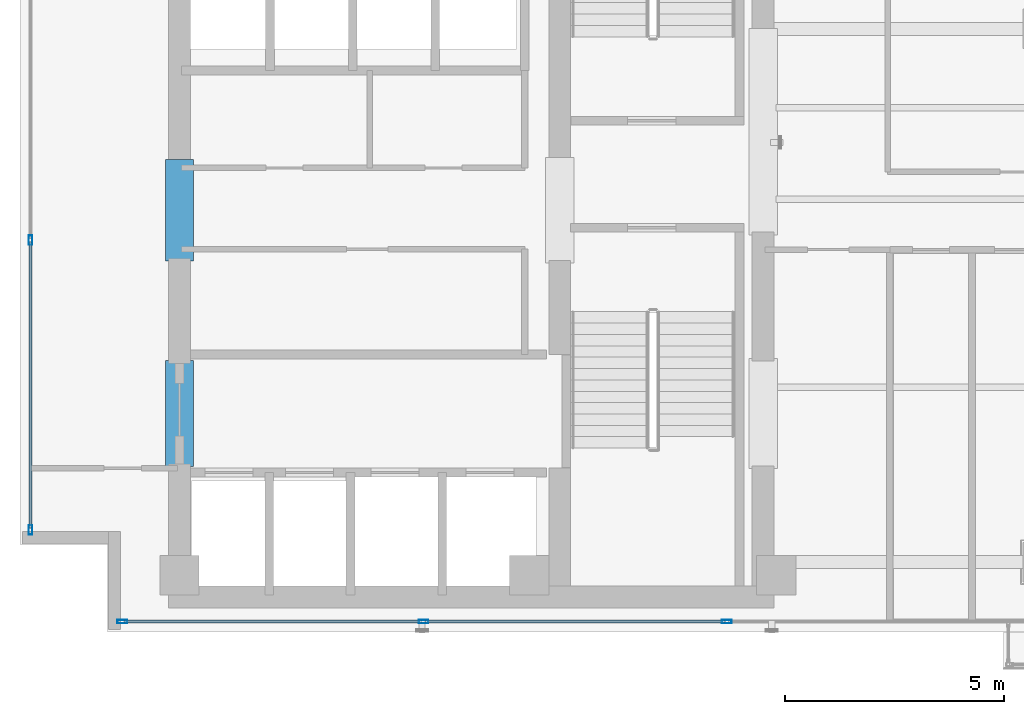
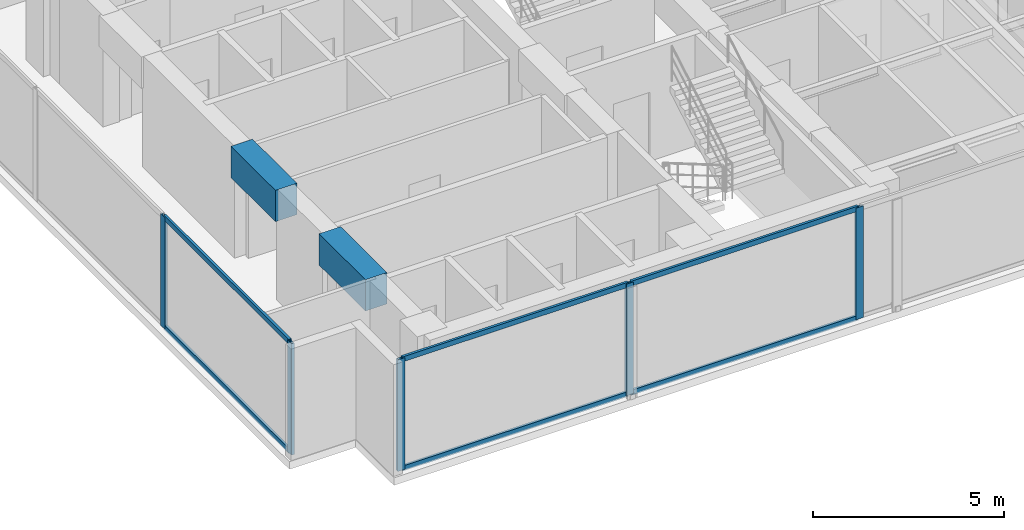
# One storey, part 2 of 22: 11 members, 2 beams, 2 elements without a shape of their own.
"""IFC4 building model written with IfcOpenShell, lengths in metres."""

from ifc_helpers import new_model, si_unit, direction, frame, origin, origin_with_axes, origin_2d, place, context, subcontext, project, spatial, rectangle, hollow_rectangle, extrude, source, transform, mapped, material, layer, layer_set, material_profile, profile_set, type_object, element, aggregate, save


model = new_model("IFC4")

# Units and contexts
model_context = context("Model", 3, precision=1e-05, world=origin(), true_north=direction((0.0, 1.0)))
body_context = subcontext(model_context, "Body", "Model", "MODEL_VIEW")
ifc_project = project(units=[si_unit("LENGTHUNIT", "METRE"), si_unit("AREAUNIT", "SQUARE_METRE"), si_unit("VOLUMEUNIT", "CUBIC_METRE"), si_unit("PLANEANGLEUNIT", "RADIAN"), si_unit("MASSUNIT", "GRAM", prefix="KILO")], contexts=[model_context])

# Site, building, storey
site_placement = place(None, origin())
site = spatial("IfcSite", under=ifc_project, at=site_placement, CompositionType="ELEMENT")
building_placement = place(site_placement, origin())
building = spatial("IfcBuilding", under=site, at=building_placement, Name="Kolvaren Waterfront Exchange", CompositionType="ELEMENT")
storey_placement = place(building_placement, frame((0.0, 0.0, 323.60009765625)))
storey = spatial("IfcBuildingStorey", under=building, at=storey_placement, Name="L83", CompositionType="ELEMENT", Elevation=323.60009765625)

# Beams
ifc_material_1 = material(Name="Concrete C60/75", Category="concrete")
ifc_material_profile_1 = material_profile(ifc_material_1, rectangle(XDim=0.64990234375, YDim=1.0, at=origin_2d()), Name="RC-CB-1000x650")
ifc_profile_set_1 = profile_set([ifc_material_profile_1], Name="Concrete C60/75")
beam_type = type_object("IfcBeamType", Name="STR-CB-1000", PredefinedType="SPANDREL", material=ifc_profile_set_1)
beam_1_placement = place(storey_placement, frame((7.449951171875, 7.389892578125, 3.059814453125), z_axis=(0.0, 1.0, 0.0), x_axis=(-1.0, 0.0, 0.0)))
element("IfcBeam", 1, at=beam_1_placement, inside=storey, type_object=beam_type, Name="L83 core coupling beam 3", PredefinedType="SPANDREL", context=body_context, shape_type="SweptSolid", body=[
    extrude(rectangle(XDim=0.64990234375, YDim=1.0, at=origin_2d()), origin(), (0.0, 0.0, 1.0), 2.420166015625),
])
beam_2_placement = place(storey_placement, frame((7.449951171875, 12.090087890625, 3.059814453125), z_axis=(0.0, 1.0, 0.0), x_axis=(-1.0, 0.0, 0.0)))
element("IfcBeam", 2, at=beam_2_placement, inside=storey, type_object=beam_type, Name="L83 core coupling beam 4", PredefinedType="SPANDREL", context=body_context, shape_type="SweptSolid", body=[
    extrude(rectangle(XDim=0.64990234375, YDim=1.0, at=origin_2d()), origin(), (0.0, 0.0, 1.0), 2.31982421875),
])

# Curtain wall, members
ifc_material_2 = material(Name="Anodised bronze aluminium 6063-T6", Category="aluminium")
ifc_layer_1 = layer(ifc_material_2, 0.219970703125, Name="Anodised bronze aluminium 6063-T6")
ifc_layer_set_1 = layer_set([ifc_layer_1], Name="Anodised bronze aluminium 6063-T6")
curtain_wall_type_1 = type_object("IfcCurtainWallType", Name="ARC-CW-SYS1", PredefinedType="USERDEFINED", material=ifc_layer_set_1)
curtain_wall_1_placement = place(storey_placement, origin())
curtain_wall_1 = element("IfcCurtainWall", 3, at=curtain_wall_1_placement, inside=storey, type_object=curtain_wall_type_1, Name="L83 stick curtain wall CW1 (CW-L83-S)", ObjectType="STICK CURTAIN WALL", PredefinedType="USERDEFINED")
ifc_material_3 = material(Name="Anodised aluminium 6063-T6", Category="aluminium")
ifc_material_profile_2 = material_profile(ifc_material_3, hollow_rectangle(XDim=0.080078125, YDim=0.219970703125, WallThickness=0.0048828125, at=origin_2d()), Name="ALU-MUL-220x80x5")
ifc_profile_set_2 = profile_set([ifc_material_profile_2], Name="Anodised aluminium 6063-T6")
member_type_1 = type_object("IfcMemberType", Name="ARC-CWM-220", PredefinedType="MULLION", material=ifc_profile_set_2)
shared_shape_1 = source(origin_with_axes(), body_context, "Body", "SweptSolid", [
    extrude(hollow_rectangle(XDim=0.080078125, YDim=0.219970703125, WallThickness=0.0048828125, at=origin_2d()), origin(), (0.0, 0.0, 1.0), 3.559814453125),
])
member_1_placement = place(storey_placement, frame((6.139892578125, 3.840087890625, 0.0), z_axis=(0.0, 0.0, 1.0), x_axis=(0.0, 1.0, 0.0)))
member_1 = element("IfcMember", 4, at=member_1_placement, type_object=member_type_1, Name="CW1 mullion 1", PredefinedType="MULLION", context=body_context, shape_type="MappedRepresentation", body=[
    mapped(shared_shape_1, transform((0.0, 0.0, 0.0), x_axis=(1.0, 0.0, 0.0), y_axis=(0.0, 1.0, 0.0), z_axis=(0.0, 0.0, 1.0), scale=1.0)),
])
member_2_placement = place(storey_placement, frame((13.03515625, 3.840087890625, 0.0), z_axis=(0.0, 0.0, 1.0), x_axis=(0.0, 1.0, 0.0)))
member_2 = element("IfcMember", 5, at=member_2_placement, type_object=member_type_1, Name="CW1 mullion 2", PredefinedType="MULLION", context=body_context, shape_type="MappedRepresentation", body=[
    mapped(shared_shape_1, transform((0.0, 0.0, 0.0), x_axis=(1.0, 0.0, 0.0), y_axis=(0.0, 1.0, 0.0), z_axis=(0.0, 0.0, 1.0), scale=1.0)),
])
member_3_placement = place(storey_placement, frame((19.97021484375, 3.840087890625, 0.0), z_axis=(0.0, 0.0, 1.0), x_axis=(0.0, 1.0, 0.0)))
member_3 = element("IfcMember", 6, at=member_3_placement, type_object=member_type_1, Name="CW1 mullion 3", PredefinedType="MULLION", context=body_context, shape_type="MappedRepresentation", body=[
    mapped(shared_shape_1, transform((0.0, 0.0, 0.0), x_axis=(1.0, 0.0, 0.0), y_axis=(0.0, 1.0, 0.0), z_axis=(0.0, 0.0, 1.0), scale=1.0)),
])

ifc_layer_2 = layer(ifc_material_3, 0.219970703125, Name="Anodised aluminium 6063-T6")
ifc_layer_set_2 = layer_set([ifc_layer_2], Name="Anodised aluminium 6063-T6")
curtain_wall_type_2 = type_object("IfcCurtainWallType", Name="ARC-CW-SYS2", PredefinedType="USERDEFINED", material=ifc_layer_set_2)
curtain_wall_2_placement = place(storey_placement, origin())
curtain_wall_2 = element("IfcCurtainWall", 7, at=curtain_wall_2_placement, inside=storey, type_object=curtain_wall_type_2, Name="L83 stick curtain wall CW2 (CW-L83-W)", ObjectType="STICK CURTAIN WALL", PredefinedType="USERDEFINED")
member_4_placement = place(storey_placement, frame((4.0400390625, 5.93994140625, 0.0), z_axis=(0.0, 0.0, 1.0), x_axis=(-1.0, 0.0, 0.0)))
member_4 = element("IfcMember", 8, at=member_4_placement, type_object=member_type_1, Name="CW2 mullion 1", PredefinedType="MULLION", context=body_context, shape_type="MappedRepresentation", body=[
    mapped(shared_shape_1, transform((0.0, 0.0, 0.0), x_axis=(1.0, 0.0, 0.0), y_axis=(0.0, 1.0, 0.0), z_axis=(0.0, 0.0, 1.0), scale=1.0)),
])
member_5_placement = place(storey_placement, frame((4.0400390625, 12.568359375, 0.0), z_axis=(0.0, 0.0, 1.0), x_axis=(-1.0, 0.0, 0.0)))
member_5 = element("IfcMember", 9, at=member_5_placement, type_object=member_type_1, Name="CW2 mullion 2", PredefinedType="MULLION", context=body_context, shape_type="MappedRepresentation", body=[
    mapped(shared_shape_1, transform((0.0, 0.0, 0.0), x_axis=(1.0, 0.0, 0.0), y_axis=(0.0, 1.0, 0.0), z_axis=(0.0, 0.0, 1.0), scale=1.0)),
])

# Member
ifc_material_profile_3 = material_profile(ifc_material_3, hollow_rectangle(XDim=0.074951171875, YDim=0.159912109375, WallThickness=0.00439453125, at=origin_2d()), Name="ALU-TRN-160x75x4.5")
ifc_profile_set_3 = profile_set([ifc_material_profile_3], Name="Anodised aluminium 6063-T6")
member_type_2 = type_object("IfcMemberType", Name="ARC-CWT-160", PredefinedType="USERDEFINED", material=ifc_profile_set_3)
shared_shape_2 = source(origin_with_axes(), body_context, "Body", "SweptSolid", [
    extrude(hollow_rectangle(XDim=0.074951171875, YDim=0.159912109375, WallThickness=0.00439453125, at=origin_2d()), origin(), (0.0, 0.0, 1.0), 6.815185546875),
])
member_6_placement = place(storey_placement, frame((6.179931640625, 3.840087890625, 0.037353515625), z_axis=(1.0, 0.0, 0.0), x_axis=(0.0, 1.0, 0.0)))
member_6 = element("IfcMember", 10, at=member_6_placement, type_object=member_type_2, Name="CW1 transom 1.1", ObjectType="TRANSOM", PredefinedType="USERDEFINED", context=body_context, shape_type="MappedRepresentation", body=[
    mapped(shared_shape_2, transform((0.0, 0.0, 0.0), x_axis=(1.0, 0.0, 0.0), y_axis=(0.0, 1.0, 0.0), z_axis=(0.0, 0.0, 1.0), scale=1.0)),
])

member_7_placement = place(storey_placement, frame((6.179931640625, 3.840087890625, 3.5224609375), z_axis=(1.0, 0.0, 0.0), x_axis=(0.0, 1.0, 0.0)))
member_7 = element("IfcMember", 11, at=member_7_placement, type_object=member_type_2, Name="CW1 transom 1.2", ObjectType="TRANSOM", PredefinedType="USERDEFINED", context=body_context, shape_type="MappedRepresentation", body=[
    mapped(shared_shape_2, transform((0.0, 0.0, 0.0), x_axis=(1.0, 0.0, 0.0), y_axis=(0.0, 1.0, 0.0), z_axis=(0.0, 0.0, 1.0), scale=1.0)),
])

shared_shape_3 = source(origin_with_axes(), body_context, "Body", "SweptSolid", [
    extrude(hollow_rectangle(XDim=0.074951171875, YDim=0.159912109375, WallThickness=0.00439453125, at=origin_2d()), origin(), (0.0, 0.0, 1.0), 6.85498046875),
])
member_8_placement = place(storey_placement, frame((13.0751953125, 3.840087890625, 0.037353515625), z_axis=(1.0, 0.0, 0.0), x_axis=(0.0, 1.0, 0.0)))
member_8 = element("IfcMember", 12, at=member_8_placement, type_object=member_type_2, Name="CW1 transom 2.1", ObjectType="TRANSOM", PredefinedType="USERDEFINED", context=body_context, shape_type="MappedRepresentation", body=[
    mapped(shared_shape_3, transform((0.0, 0.0, 0.0), x_axis=(1.0, 0.0, 0.0), y_axis=(0.0, 1.0, 0.0), z_axis=(0.0, 0.0, 1.0), scale=1.0)),
])

member_9_placement = place(storey_placement, frame((13.0751953125, 3.840087890625, 3.5224609375), z_axis=(1.0, 0.0, 0.0), x_axis=(0.0, 1.0, 0.0)))
member_9 = element("IfcMember", 13, at=member_9_placement, type_object=member_type_2, Name="CW1 transom 2.2", ObjectType="TRANSOM", PredefinedType="USERDEFINED", context=body_context, shape_type="MappedRepresentation", body=[
    mapped(shared_shape_3, transform((0.0, 0.0, 0.0), x_axis=(1.0, 0.0, 0.0), y_axis=(0.0, 1.0, 0.0), z_axis=(0.0, 0.0, 1.0), scale=1.0)),
])

aggregate(curtain_wall_1, [member_1, member_2, member_3, member_6, member_7, member_8, member_9])

shared_shape_4 = source(origin_with_axes(), body_context, "Body", "SweptSolid", [
    extrude(hollow_rectangle(XDim=0.074951171875, YDim=0.159912109375, WallThickness=0.00439453125, at=origin_2d()), origin(), (0.0, 0.0, 1.0), 6.54833984375),
])
member_10_placement = place(storey_placement, frame((4.0400390625, 5.97998046875, 0.037353515625), z_axis=(0.0, 1.0, 0.0), x_axis=(-1.0, 0.0, 0.0)))
member_10 = element("IfcMember", 14, at=member_10_placement, type_object=member_type_2, Name="CW2 transom 1.1", ObjectType="TRANSOM", PredefinedType="USERDEFINED", context=body_context, shape_type="MappedRepresentation", body=[
    mapped(shared_shape_4, transform((0.0, 0.0, 0.0), x_axis=(1.0, 0.0, 0.0), y_axis=(0.0, 1.0, 0.0), z_axis=(0.0, 0.0, 1.0), scale=1.0)),
])

member_11_placement = place(storey_placement, frame((4.0400390625, 5.97998046875, 3.5224609375), z_axis=(0.0, 1.0, 0.0), x_axis=(-1.0, 0.0, 0.0)))
member_11 = element("IfcMember", 15, at=member_11_placement, type_object=member_type_2, Name="CW2 transom 1.2", ObjectType="TRANSOM", PredefinedType="USERDEFINED", context=body_context, shape_type="MappedRepresentation", body=[
    mapped(shared_shape_4, transform((0.0, 0.0, 0.0), x_axis=(1.0, 0.0, 0.0), y_axis=(0.0, 1.0, 0.0), z_axis=(0.0, 0.0, 1.0), scale=1.0)),
])

aggregate(curtain_wall_2, [member_4, member_5, member_10, member_11])

save(model, "model.ifc")
